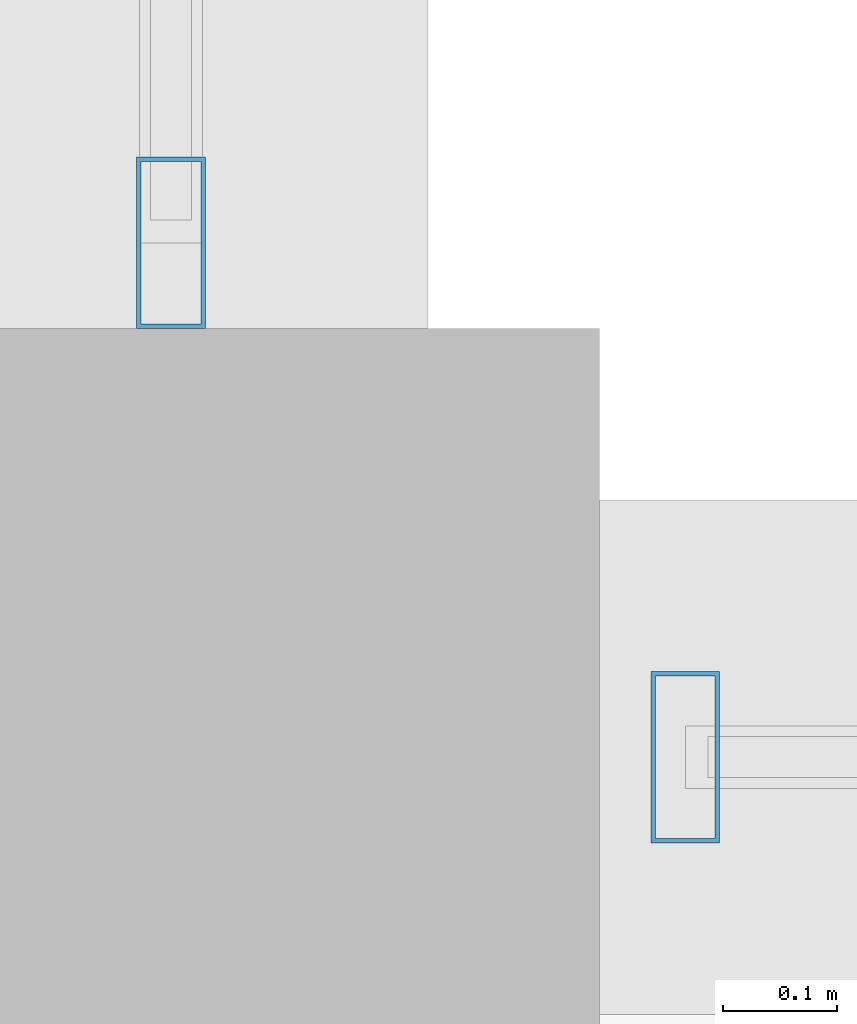
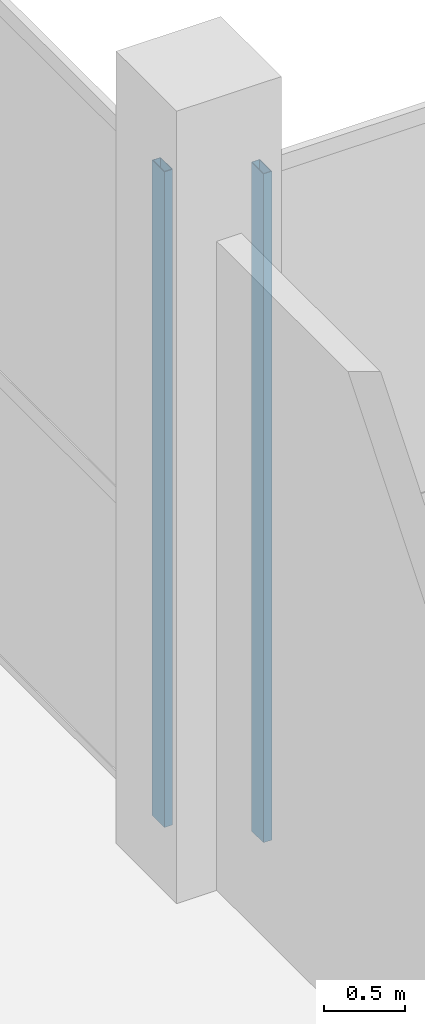
# One storey, part 68 of 144: 2 members, 2 elements without a shape of their own.
"""IFC4 building model written with IfcOpenShell, lengths in metres."""

from ifc_helpers import new_model, si_unit, direction, frame, origin, origin_2d, place, context, subcontext, project, spatial, hollow_rectangle, extrude, material, layer, layer_set, material_profile, profile_set, type_object, element, aggregate, save


model = new_model("IFC4")

# Units and contexts
model_context = context("Model", 3, precision=1e-05, world=origin(), true_north=direction((0.0, 1.0)))
body_context = subcontext(model_context, "Body", "Model", "MODEL_VIEW")
ifc_project = project(units=[si_unit("LENGTHUNIT", "METRE"), si_unit("AREAUNIT", "SQUARE_METRE"), si_unit("VOLUMEUNIT", "CUBIC_METRE"), si_unit("PLANEANGLEUNIT", "RADIAN"), si_unit("MASSUNIT", "GRAM", prefix="KILO")], contexts=[model_context])

# Site, building, storey
site_placement = place(None, origin())
site = spatial("IfcSite", under=ifc_project, at=site_placement, CompositionType="ELEMENT")
building_placement = place(site_placement, origin())
building = spatial("IfcBuilding", under=site, at=building_placement, Name="Sundgate Opera House", CompositionType="ELEMENT")
storey_placement = place(building_placement, origin())
storey = spatial("IfcBuildingStorey", under=building, at=storey_placement, Name="L00", CompositionType="ELEMENT", Elevation=0.0)

# Curtain wall, member
ifc_material_1 = material(Name="Anodized aluminium and low-iron glass", Category="aluminium")
ifc_layer = layer(ifc_material_1, 0.159912109375)
ifc_layer_set = layer_set([ifc_layer], Name="Anodized aluminium and low-iron glass")
curtain_wall_type = type_object("IfcCurtainWallType", Name="CW-STUDIO-DARK", PredefinedType="NOTDEFINED", material=ifc_layer_set)
curtain_wall_1_placement = place(storey_placement, origin())
curtain_wall_1 = element("IfcCurtainWall", 1, at=curtain_wall_1_placement, inside=storey, type_object=curtain_wall_type, Name="L00 Curtain Wall CW080", PredefinedType="NOTDEFINED")
ifc_material_2 = material(Name="Anodized aluminium EN AW-6063", Category="aluminium")
ifc_material_profile = material_profile(ifc_material_2, hollow_rectangle(XDim=0.06005859375, YDim=0.14990234375, WallThickness=0.00390625, at=origin_2d()), Name="CWM 150x60x4")
ifc_profile_set = profile_set([ifc_material_profile], Name="Anodized aluminium EN AW-6063")
member_type = type_object("IfcMemberType", Name="CWM-ALU-150x60", PredefinedType="MULLION", material=ifc_profile_set)
member_1_placement = place(storey_placement, frame((124.64990234375, 87.0, 0.0), z_axis=(0.0, 0.0, 1.0), x_axis=(1.0, 0.0, 0.0)))
member_1 = element("IfcMember", 2, at=member_1_placement, type_object=member_type, Name="CW080 Mullion 1", PredefinedType="MULLION", context=body_context, shape_type="SweptSolid", body=[
    extrude(hollow_rectangle(XDim=0.06005859375, YDim=0.14990234375, WallThickness=0.00390625, at=origin_2d()), origin(), (0.0, 0.0, 1.0), 5.06494140625),
])
aggregate(curtain_wall_1, [member_1])

curtain_wall_2_placement = place(storey_placement, origin())
curtain_wall_2 = element("IfcCurtainWall", 3, at=curtain_wall_2_placement, inside=storey, type_object=curtain_wall_type, Name="L00 Curtain Wall CW088", PredefinedType="NOTDEFINED")
member_2_placement = place(storey_placement, frame((124.199951171875, 87.449951171875, 0.0), z_axis=(0.0, 0.0, 1.0), x_axis=(1.0, 0.0, 0.0)))
member_2 = element("IfcMember", 4, at=member_2_placement, type_object=member_type, Name="CW088 Mullion 1", PredefinedType="MULLION", context=body_context, shape_type="SweptSolid", body=[
    extrude(hollow_rectangle(XDim=0.06005859375, YDim=0.14990234375, WallThickness=0.00390625, at=origin_2d()), origin(), (0.0, 0.0, 1.0), 4.965087890625),
])
aggregate(curtain_wall_2, [member_2])

save(model, "model.ifc")
